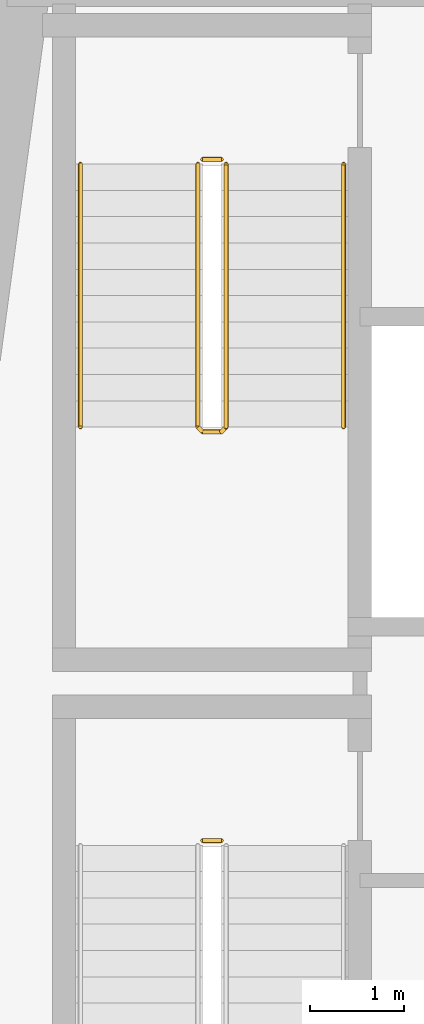
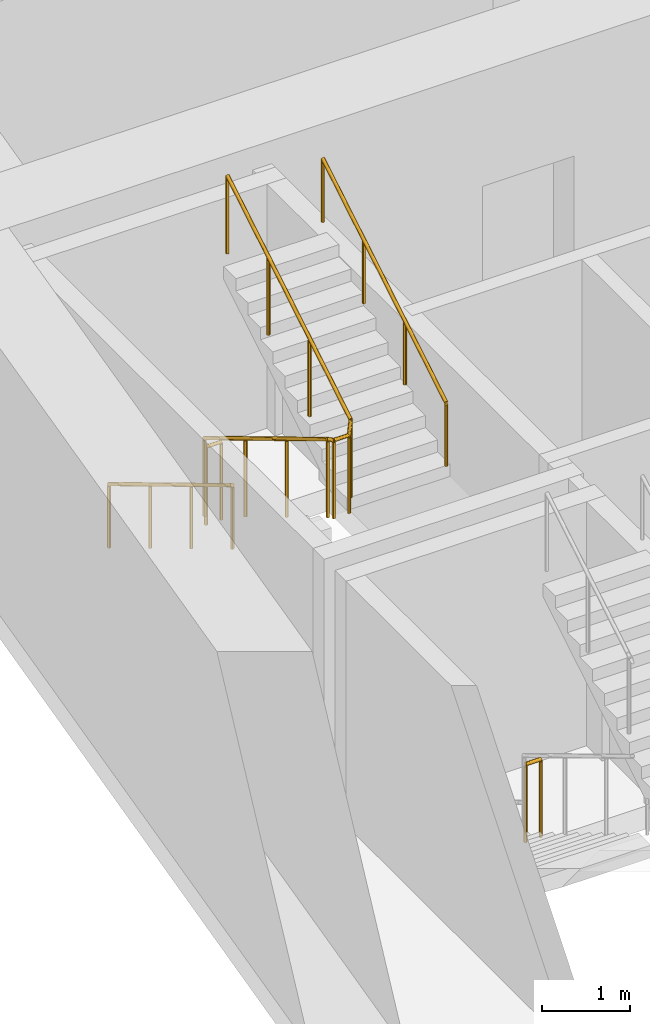
# One storey, part 10 of 13: 5 railings.
"""IFC4 building model written with IfcOpenShell, lengths in metres."""

from ifc_helpers import new_model, si_unit, direction, frame, origin, origin_2d, place, context, subcontext, project, spatial, circle, extrude, material, type_object, element, save


model = new_model("IFC4")

# Units and contexts
model_context = context("Model", 3, precision=1e-05, world=origin(), true_north=direction((0.0, 1.0)))
body_context = subcontext(model_context, "Body", "Model", "MODEL_VIEW")
ifc_project = project(units=[si_unit("LENGTHUNIT", "METRE"), si_unit("AREAUNIT", "SQUARE_METRE"), si_unit("VOLUMEUNIT", "CUBIC_METRE"), si_unit("PLANEANGLEUNIT", "RADIAN"), si_unit("MASSUNIT", "GRAM", prefix="KILO")], contexts=[model_context])

# Site, building, storey
site_placement = place(None, origin())
site = spatial("IfcSite", under=ifc_project, at=site_placement, CompositionType="ELEMENT")
building_placement = place(site_placement, origin())
building = spatial("IfcBuilding", under=site, at=building_placement, Name="Candeia Pilgrim Tower and Theatre", CompositionType="ELEMENT")
storey_placement = place(building_placement, frame((0.0, 0.0, 98.39990234375)))
storey = spatial("IfcBuildingStorey", under=building, at=storey_placement, Name="L22", CompositionType="ELEMENT", Elevation=98.39990234375)

# Railings
ifc_material_1 = material(Name="Stainless steel balustrade", Category="steel")
railing_type_1 = type_object("IfcRailingType", Name="RL-GUARD-1100", PredefinedType="GUARDRAIL", material=ifc_material_1)
railing_1_placement = place(storey_placement, frame((91.152099609375, 122.52490234375, 0.0)))
element("IfcRailing", 1, at=railing_1_placement, inside=storey, type_object=railing_type_1, Name="L22 ST1 stair guard 2", PredefinedType="GUARDRAIL", context=body_context, shape_type="SweptSolid", body=[
    extrude(circle(Radius=0.02392578125, at=origin_2d()), frame((0.0, 0.0, 1.076171875), z_axis=(1.0, 0.0, 0.0), x_axis=(0.0, 1.0, 0.0)), (0.0, 0.0, 1.0), 0.199951171875),
    extrude(circle(Radius=0.02099609375, at=origin_2d()), origin(), (0.0, 0.0, 1.0), 1.052001953125),
    extrude(circle(Radius=0.02099609375, at=origin_2d()), frame((0.199951171875, 0.0, 0.0)), (0.0, 0.0, 1.0), 1.052001953125),
])
railing_2_placement = place(storey_placement, frame((91.10205078125, 129.72509765625, 0.168212890625)))
element("IfcRailing", 2, at=railing_2_placement, inside=storey, type_object=railing_type_1, Name="L22 ST2 stair guard 1", PredefinedType="GUARDRAIL", context=body_context, shape_type="SweptSolid", body=[
    extrude(circle(Radius=0.02392578125, at=origin_2d()), frame((0.0, 0.0, 1.076171875), z_axis=(0.0, -0.857242210791, 0.514913383045), x_axis=(1.0, 0.0, 0.0)), (0.0, 0.0, 1.0), 3.266357421875),
    extrude(circle(Radius=0.02392578125, at=origin_2d()), frame((0.0, -2.800048828125, 2.7578125), z_axis=(0.707106781187, -0.707106781187, 0.0), x_axis=(0.707106781187, 0.707106781187, 0.0)), (0.0, 0.0, 1.0), 0.07080078125),
    extrude(circle(Radius=0.02392578125, at=origin_2d()), frame((0.050048828125, -2.85009765625, 2.7578125), z_axis=(1.0, 0.0, 0.0), x_axis=(0.0, 1.0, 0.0)), (0.0, 0.0, 1.0), 0.199951171875),
    extrude(circle(Radius=0.02392578125, at=origin_2d()), frame((0.25, -2.85009765625, 2.7578125), z_axis=(0.274243871929, 0.274243871929, 0.92172696468), x_axis=(-0.707106781187, 0.707106781187, 0.0)), (0.0, 0.0, 1.0), 0.1826171875),
    extrude(circle(Radius=0.02392578125, at=origin_2d()), frame((0.300048828125, -2.800048828125, 2.92626953125), z_axis=(0.0, 0.857242210791, 0.514913383045), x_axis=(-1.0, 0.0, 0.0)), (0.0, 0.0, 1.0), 3.266357421875),
    extrude(circle(Radius=0.02099609375, at=origin_2d()), origin(), (0.0, 0.0, 1.0), 1.052001953125),
    extrude(circle(Radius=0.02099609375, at=origin_2d()), frame((0.0, -0.933349609375, 0.560546875)), (0.0, 0.0, 1.0), 1.052001953125),
    extrude(circle(Radius=0.02099609375, at=origin_2d()), frame((0.0, -1.86669921875, 1.121337890625)), (0.0, 0.0, 1.0), 1.052001953125),
    extrude(circle(Radius=0.02099609375, at=origin_2d()), frame((0.0, -2.800048828125, 1.681884765625)), (0.0, 0.0, 1.0), 1.052001953125),
    extrude(circle(Radius=0.02099609375, at=origin_2d()), frame((0.050048828125, -2.85009765625, 1.681884765625)), (0.0, 0.0, 1.0), 1.052001953125),
    extrude(circle(Radius=0.02099609375, at=origin_2d()), frame((0.25, -2.85009765625, 1.681884765625)), (0.0, 0.0, 1.0), 1.052001953125),
    extrude(circle(Radius=0.02099609375, at=origin_2d()), frame((0.300048828125, -2.800048828125, 1.85009765625)), (0.0, 0.0, 1.0), 1.052001953125),
    extrude(circle(Radius=0.02099609375, at=origin_2d()), frame((0.300048828125, -1.86669921875, 2.41064453125)), (0.0, 0.0, 1.0), 1.052001953125),
    extrude(circle(Radius=0.02099609375, at=origin_2d()), frame((0.300048828125, -0.933349609375, 2.971435546875)), (0.0, 0.0, 1.0), 1.052001953125),
    extrude(circle(Radius=0.02099609375, at=origin_2d()), frame((0.300048828125, 0.0, 3.531982421875)), (0.0, 0.0, 1.0), 1.052001953125),
])
railing_3_placement = place(storey_placement, frame((91.152099609375, 129.77490234375, 0.0)))
element("IfcRailing", 3, at=railing_3_placement, inside=storey, type_object=railing_type_1, Name="L22 ST2 stair guard 2", PredefinedType="GUARDRAIL", context=body_context, shape_type="SweptSolid", body=[
    extrude(circle(Radius=0.02392578125, at=origin_2d()), frame((0.0, 0.0, 1.076171875), z_axis=(1.0, 0.0, 0.0), x_axis=(0.0, 1.0, 0.0)), (0.0, 0.0, 1.0), 0.199951171875),
    extrude(circle(Radius=0.02099609375, at=origin_2d()), origin(), (0.0, 0.0, 1.0), 1.052001953125),
    extrude(circle(Radius=0.02099609375, at=origin_2d()), frame((0.199951171875, 0.0, 0.0)), (0.0, 0.0, 1.0), 1.052001953125),
])
ifc_material_2 = material(Name="Stainless steel handrail", Category="steel")
railing_type_2 = type_object("IfcRailingType", Name="RL-HANDRAIL-900", PredefinedType="HANDRAIL", material=ifc_material_2)
railing_4_placement = place(storey_placement, frame((89.85205078125, 129.72509765625, 0.168212890625)))
element("IfcRailing", 4, at=railing_4_placement, inside=storey, type_object=railing_type_2, Name="L22 ST2 stair handrail 1", PredefinedType="HANDRAIL", context=body_context, shape_type="SweptSolid", body=[
    extrude(circle(Radius=0.02392578125, at=origin_2d()), frame((0.0, 0.0, 0.8759765625), z_axis=(0.0, -0.857242210791, 0.514913383045), x_axis=(1.0, 0.0, 0.0)), (0.0, 0.0, 1.0), 3.266357421875),
    extrude(circle(Radius=0.02099609375, at=origin_2d()), origin(), (0.0, 0.0, 1.0), 0.851806640625),
    extrude(circle(Radius=0.02099609375, at=origin_2d()), frame((0.0, -0.933349609375, 0.560546875)), (0.0, 0.0, 1.0), 0.851806640625),
    extrude(circle(Radius=0.02099609375, at=origin_2d()), frame((0.0, -1.86669921875, 1.121337890625)), (0.0, 0.0, 1.0), 0.851806640625),
    extrude(circle(Radius=0.02099609375, at=origin_2d()), frame((0.0, -2.800048828125, 1.681884765625)), (0.0, 0.0, 1.0), 0.851806640625),
])
railing_5_placement = place(storey_placement, frame((92.652099609375, 126.925048828125, 2.018310546875)))
element("IfcRailing", 5, at=railing_5_placement, inside=storey, type_object=railing_type_2, Name="L22 ST2 stair handrail 2", PredefinedType="HANDRAIL", context=body_context, shape_type="SweptSolid", body=[
    extrude(circle(Radius=0.02392578125, at=origin_2d()), frame((0.0, 0.0, 0.8759765625), z_axis=(0.0, 0.857242210791, 0.514913383045), x_axis=(-1.0, 0.0, 0.0)), (0.0, 0.0, 1.0), 3.266357421875),
    extrude(circle(Radius=0.02099609375, at=origin_2d()), origin(), (0.0, 0.0, 1.0), 0.851806640625),
    extrude(circle(Radius=0.02099609375, at=origin_2d()), frame((0.0, 0.933349609375, 0.560546875)), (0.0, 0.0, 1.0), 0.851806640625),
    extrude(circle(Radius=0.02099609375, at=origin_2d()), frame((0.0, 1.86669921875, 1.121337890625)), (0.0, 0.0, 1.0), 0.851806640625),
    extrude(circle(Radius=0.02099609375, at=origin_2d()), frame((0.0, 2.800048828125, 1.681884765625)), (0.0, 0.0, 1.0), 0.851806640625),
])

save(model, "model.ifc")
